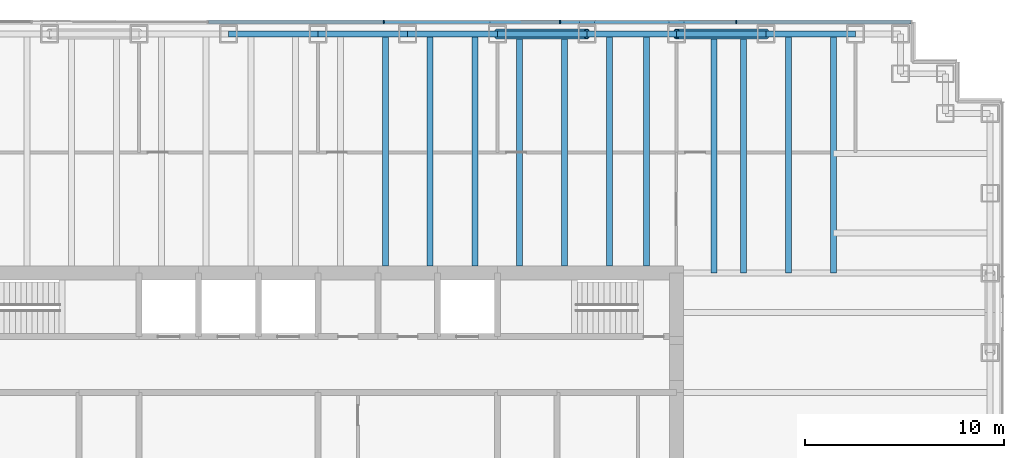
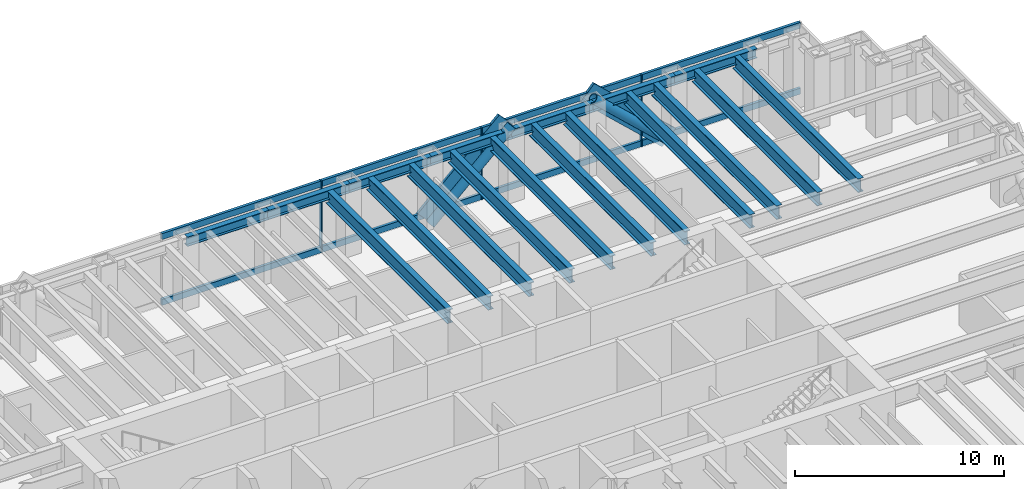
# One storey, part 7 of 17: 18 beams, 15 members, 1 element without a shape of its own.
"""IFC4 building model written with IfcOpenShell, lengths in metres."""

import ifcopenshell
import ifcopenshell.guid

model = None  # the IFC model being written
_history = None  # IfcOwnerHistory: only IFC2X3 demands one
_inside = {}  # id of a spatial element -> (the spatial element, [elements in it])
_under = {}  # id of a project, library or spatial element -> (it, [spatial elements below it])
_declared = {}  # id of a project -> (the project, [libraries it declares])
_typed = {}  # id of a type object -> (the type object, [elements of that type])
_made_of = {}  # id of a material, layer set ... -> (it, [elements and type objects made of it])


def new_model(schema):
    """Start an empty IFC model of exactly this schema.

    Asked for "IFC4X3", IfcOpenShell would pick the latest addendum, in which some entities
    have other attributes; the version numbers below select the first issue.
    IFC2X3 requires an IfcOwnerHistory on every rooted entity: one is made here for all.
    """
    global model, _history
    if schema == "IFC4X3":
        model = ifcopenshell.file(schema_version=(4, 3, 0, 0))
    else:
        model = ifcopenshell.file(schema=schema)
    _inside.clear()
    _under.clear()
    _declared.clear()
    _typed.clear()
    _made_of.clear()
    _history = None
    if model.schema == "IFC2X3":
        org = make("IfcOrganization", Name="unknown")
        user = make(
            "IfcPersonAndOrganization",
            ThePerson=make("IfcPerson", FamilyName="unknown"),
            TheOrganization=org,
        )
        app = make(
            "IfcApplication",
            ApplicationDeveloper=org,
            Version="unknown",
            ApplicationFullName="unknown",
            ApplicationIdentifier="unknown",
        )
        _history = make(
            "IfcOwnerHistory",
            OwningUser=user,
            OwningApplication=app,
            ChangeAction="ADDED",
            CreationDate=0,
        )
    return model


def make(cls, **values):
    """One entity of the class cls with the attributes given. An attribute that is None is left unset."""
    return model.create_entity(
        cls, **{name: value for name, value in values.items() if value is not None}
    )


def rooted(cls, **values):
    """An entity with a GlobalId (a new one), such as an element, a storey or a relation."""
    return make(cls, GlobalId=ifcopenshell.guid.new(), OwnerHistory=_history, **values)


def si_unit(unit_type, name, prefix=None):
    """IfcSIUnit, for example si_unit("LENGTHUNIT", "METRE", prefix="MILLI")."""
    return make("IfcSIUnit", UnitType=unit_type, Prefix=prefix, Name=name)


def assignment(units):
    """IfcUnitAssignment: the units of a project."""
    return None if units is None else make("IfcUnitAssignment", Units=units)


def point(xyz):
    """IfcCartesianPoint."""
    return None if xyz is None else make("IfcCartesianPoint", Coordinates=xyz)


def direction(xyz):
    """IfcDirection."""
    return None if xyz is None else make("IfcDirection", DirectionRatios=xyz)


def frame(location, z_axis=None, x_axis=None):
    """IfcAxis2Placement3D, a coordinate frame: its origin and axes. An axis left out is left unset."""
    return make(
        "IfcAxis2Placement3D",
        Location=point(location),
        Axis=direction(z_axis),
        RefDirection=direction(x_axis),
    )


def frame_2d(location, x_axis=None):
    """IfcAxis2Placement2D, a coordinate frame in the plane: its origin and x axis."""
    return make(
        "IfcAxis2Placement2D", Location=point(location), RefDirection=direction(x_axis)
    )


def origin():
    """The frame at (0, 0, 0) with its axes left unset."""
    return frame((0.0, 0.0, 0.0))


def origin_2d():
    """The frame at (0, 0) in the plane with its x axis left unset."""
    return frame_2d((0.0, 0.0))


def place(relative_to, where):
    """IfcLocalPlacement: puts the frame where relative to a parent placement (None: the world)."""
    return make(
        "IfcLocalPlacement", PlacementRelTo=relative_to, RelativePlacement=where
    )


def context(
    kind, dimensions, precision=None, world=None, true_north=None, identifier=None
):
    """IfcGeometricRepresentationContext, for example the 3D "Model" context."""
    return make(
        "IfcGeometricRepresentationContext",
        ContextIdentifier=identifier,
        ContextType=kind,
        CoordinateSpaceDimension=dimensions,
        Precision=precision,
        WorldCoordinateSystem=world,
        TrueNorth=true_north,
    )


def subcontext(parent, identifier, kind, view, scale=None):
    """IfcGeometricRepresentationSubContext, for example "Body" below "Model"."""
    return make(
        "IfcGeometricRepresentationSubContext",
        ContextIdentifier=identifier,
        ContextType=kind,
        ParentContext=parent,
        TargetScale=scale,
        TargetView=view,
    )


def project(units=None, contexts=None):
    """IfcProject with its units and contexts."""
    return rooted(
        "IfcProject",
        Name="project",
        RepresentationContexts=contexts,
        UnitsInContext=assignment(units),
    )


def spatial(cls, under=None, at=None, **own):
    """A site, building, storey or space (cls), placed at a placement, below another one or the project."""
    s = rooted(cls, ObjectPlacement=at, **own)
    if under is not None:
        _under.setdefault(under.id(), (under, []))[1].append(s)
    return s


def profile(cls, at=None, kind="AREA", **sizes):
    """A parametric profile (cls). Its sizes go by their IFC names, for example OverallWidth=200.0."""
    return make(cls, ProfileType=kind, Position=at, **sizes)


def rectangle(**sizes):
    """IfcRectangleProfileDef."""
    return profile("IfcRectangleProfileDef", **sizes)


def hollow_circle(**sizes):
    """IfcCircleHollowProfileDef."""
    return profile("IfcCircleHollowProfileDef", **sizes)


def i_section(**sizes):
    """IfcIShapeProfileDef."""
    return profile("IfcIShapeProfileDef", **sizes)


def extrude(swept, where, along, depth):
    """IfcExtrudedAreaSolid: the profile swept, set in the frame where, extruded along a direction by depth."""
    return make(
        "IfcExtrudedAreaSolid",
        SweptArea=swept,
        Position=where,
        ExtrudedDirection=direction(along),
        Depth=depth,
    )


def shape(context_of_items, identifier, shape_type, items):
    """IfcShapeRepresentation: the items that make up one representation, for example the "Body"."""
    return make(
        "IfcShapeRepresentation",
        ContextOfItems=context_of_items,
        RepresentationIdentifier=identifier,
        RepresentationType=shape_type,
        Items=items,
    )


def material(Name=None, Category=None):
    """IfcMaterial."""
    return make("IfcMaterial", Name=Name, Category=Category)


def material_profile(
    of_material, cross_section, Name=None, Category=None, Priority=None
):
    """IfcMaterialProfile: a cross section and its material."""
    return make(
        "IfcMaterialProfile",
        Name=Name,
        Material=of_material,
        Profile=cross_section,
        Priority=Priority,
        Category=Category,
    )


def profile_set(profiles, Name=None, composite=None):
    """IfcMaterialProfileSet."""
    return make(
        "IfcMaterialProfileSet",
        Name=Name,
        MaterialProfiles=profiles,
        CompositeProfile=composite,
    )


def made_of(thing, what):
    """Note that an element or type object is made of a material, layer set ...; save() writes the relation."""
    if what is not None:
        _made_of.setdefault(what.id(), (what, []))[1].append(thing)
    return thing


def type_object(cls, material=None, **own):
    """A type object (cls), such as IfcWallType, which elements share."""
    return made_of(rooted(cls, **own), material)


def element(
    cls,
    number,
    at=None,
    inside=None,
    cuts=None,
    type_object=None,
    material=None,
    context=None,
    identifier="Body",
    shape_type=None,
    held_by="IfcProductDefinitionShape",
    body=None,
    shapes=None,
    **own,
):
    """One element of the class cls, such as IfcWall. Its Tag is "e" and its number.

    at: its placement. inside: the storey or other place that contains it. cuts: it is an
    opening in that element (IfcRelVoidsElement). A single representation is given by context,
    identifier, shape_type and body (its items); several are given by shapes. held_by: the class
    of the entity that holds the representations. save() writes the other relations.
    """
    e = rooted(cls, Tag="e%d" % number, ObjectPlacement=at, **own)
    if body is not None:
        shapes = [shape(context, identifier, shape_type, body)]
    if shapes is not None:
        e.Representation = make(held_by, Representations=shapes)
    if inside is not None:
        _inside.setdefault(inside.id(), (inside, []))[1].append(e)
    if cuts is not None:
        rooted(
            "IfcRelVoidsElement", RelatingBuildingElement=cuts, RelatedOpeningElement=e
        )
    if type_object is not None:
        _typed.setdefault(type_object.id(), (type_object, []))[1].append(e)
    return made_of(e, material)


def aggregate(whole, parts):
    """IfcRelAggregates: a whole, such as a stair, and the parts it consists of."""
    return rooted("IfcRelAggregates", RelatingObject=whole, RelatedObjects=parts)


def save(model, path):
    """Write the relations noted so far, then the file.

    IfcRelAggregates (storeys below a building ...), IfcRelContainedInSpatialStructure (elements
    in a storey), IfcRelDefinesByType, IfcRelAssociatesMaterial and IfcRelDeclares: one each for
    every whole, place, type object, material and project.
    """
    for whole, parts in _under.values():
        aggregate(whole, parts)
    for where, things in _inside.values():
        rooted(
            "IfcRelContainedInSpatialStructure",
            RelatedElements=things,
            RelatingStructure=where,
        )
    for kind, things in _typed.values():
        rooted("IfcRelDefinesByType", RelatedObjects=things, RelatingType=kind)
    for what, things in _made_of.values():
        rooted("IfcRelAssociatesMaterial", RelatedObjects=things, RelatingMaterial=what)
    for by, libraries in _declared.values():
        rooted("IfcRelDeclares", RelatingContext=by, RelatedDefinitions=libraries)
    model.write(path)


model = new_model("IFC4")

# Units and contexts
model_context = context("Model", 3, precision=1e-05, world=origin(), true_north=direction((0.0, 1.0)))
body_context = subcontext(model_context, "Body", "Model", "MODEL_VIEW")
ifc_project = project(units=[si_unit("LENGTHUNIT", "METRE"), si_unit("AREAUNIT", "SQUARE_METRE"), si_unit("VOLUMEUNIT", "CUBIC_METRE"), si_unit("PLANEANGLEUNIT", "RADIAN"), si_unit("MASSUNIT", "GRAM", prefix="KILO")], contexts=[model_context])

# Site, building, storey
site_placement = place(None, origin())
site = spatial("IfcSite", under=ifc_project, at=site_placement, CompositionType="ELEMENT")
building_placement = place(site_placement, origin())
building = spatial("IfcBuilding", under=site, at=building_placement, Name="Rheinbord Bourse Tower", CompositionType="ELEMENT")
storey_placement = place(building_placement, frame((0.0, 0.0, 283.699951171875)))
storey = spatial("IfcBuildingStorey", under=building, at=storey_placement, Name="L64", CompositionType="ELEMENT", Elevation=283.699951171875)

# Curtain wall, members
ifc_material_1 = material(Name="Dark glass and black aluminium", Category="aluminium")
curtain_wall_type = type_object("IfcCurtainWallType", Name="CW3 DARK GLASS CURTAIN WALL", PredefinedType="USERDEFINED", material=ifc_material_1)
curtain_wall_placement = place(storey_placement, origin())
curtain_wall = element("IfcCurtainWall", 1, at=curtain_wall_placement, inside=storey, type_object=curtain_wall_type, Name="Curtain wall CW3 N L64", ObjectType="UNITISED CURTAIN WALL", PredefinedType="USERDEFINED")
ifc_material_2 = material(Name="Black anodised aluminium", Category="aluminium")
ifc_material_profile_1 = material_profile(ifc_material_2, rectangle(XDim=0.14990234375, YDim=1.10791015625, at=origin_2d()), Name="CW3 DIAGONAL MULLION 1108x150")
ifc_profile_set_1 = profile_set([ifc_material_profile_1], Name="Black anodised aluminium")
member_type_1 = type_object("IfcMemberType", Name="CW3 BLACK DIAGONAL MULLION", PredefinedType="USERDEFINED", material=ifc_profile_set_1)
member_1_placement = place(storey_placement, frame((45.0, 44.60009765625, 0.0), z_axis=(0.73105922506, 0.0, 0.682314010889), x_axis=(0.0, 1.0, 0.0)))
member_1 = element("IfcMember", 2, at=member_1_placement, type_object=member_type_1, Name="CW3 diagonal mullion a", ObjectType="DIAGONAL MULLION", PredefinedType="USERDEFINED", context=body_context, shape_type="SweptSolid", body=[
    extrude(rectangle(XDim=0.14990234375, YDim=1.10791015625, at=origin_2d()), origin(), (0.0, 0.0, 1.0), 6.155517578125),
])
member_2_placement = place(storey_placement, frame((58.5, 44.60009765625, 0.0), z_axis=(-0.73105922506, 0.0, 0.682314010889), x_axis=(0.0, -1.0, 0.0)))
member_2 = element("IfcMember", 3, at=member_2_placement, type_object=member_type_1, Name="CW3 diagonal mullion c", ObjectType="DIAGONAL MULLION", PredefinedType="USERDEFINED", context=body_context, shape_type="SweptSolid", body=[
    extrude(rectangle(XDim=0.14990234375, YDim=1.10791015625, at=origin_2d()), origin(), (0.0, 0.0, 1.0), 6.155517578125),
])
ifc_material_3 = material(Name="Black anodised aluminium", Category="aluminium")
ifc_material_profile_2 = material_profile(ifc_material_3, rectangle(XDim=0.199951171875, YDim=0.06494140625, at=origin_2d()), Name="CW3 MULLION 65x200")
ifc_profile_set_2 = profile_set([ifc_material_profile_2], Name="Black anodised aluminium")
member_type_2 = type_object("IfcMemberType", Name="CW3 BLACK MULLION", PredefinedType="MULLION", material=ifc_profile_set_2)
member_3_placement = place(storey_placement, frame((57.0, 44.60009765625, 0.0), z_axis=(0.0, 0.0, 1.0), x_axis=(0.0, -1.0, 0.0)))
member_3 = element("IfcMember", 4, at=member_3_placement, type_object=member_type_2, Name="CW3 mullion 2", PredefinedType="MULLION", context=body_context, shape_type="SweptSolid", body=[
    extrude(rectangle(XDim=0.199951171875, YDim=0.06494140625, at=origin_2d()), origin(), (0.0, 0.0, 1.0), 4.199951171875),
])
member_4_placement = place(storey_placement, frame((48.14990234375, 44.60009765625, 0.0), z_axis=(0.0, 0.0, 1.0), x_axis=(0.0, -1.0, 0.0)))
member_4 = element("IfcMember", 5, at=member_4_placement, type_object=member_type_2, Name="CW3 mullion 3", PredefinedType="MULLION", context=body_context, shape_type="SweptSolid", body=[
    extrude(rectangle(XDim=0.199951171875, YDim=0.06494140625, at=origin_2d()), origin(), (0.0, 0.0, 1.0), 4.199951171875),
])
member_5_placement = place(storey_placement, frame((39.300048828125, 44.60009765625, 0.0), z_axis=(0.0, 0.0, 1.0), x_axis=(0.0, -1.0, 0.0)))
member_5 = element("IfcMember", 6, at=member_5_placement, type_object=member_type_2, Name="CW3 mullion 4", PredefinedType="MULLION", context=body_context, shape_type="SweptSolid", body=[
    extrude(rectangle(XDim=0.199951171875, YDim=0.06494140625, at=origin_2d()), origin(), (0.0, 0.0, 1.0), 4.199951171875),
])
ifc_material_4 = material(Name="Black anodised aluminium", Category="aluminium")
ifc_material_profile_3 = material_profile(ifc_material_4, rectangle(XDim=0.14990234375, YDim=0.35009765625, at=origin_2d()), Name="CW3 TRANSOM 350x150")
ifc_profile_set_3 = profile_set([ifc_material_profile_3], Name="Black anodised aluminium")
member_type_3 = type_object("IfcMemberType", Name="CW3 BLACK TRANSOM", PredefinedType="USERDEFINED", material=ifc_profile_set_3)
member_6_placement = place(storey_placement, frame((65.784912109375, 44.60009765625, 0.175048828125), z_axis=(-1.0, 0.0, 0.0), x_axis=(0.0, -1.0, 0.0)))
member_6 = element("IfcMember", 7, at=member_6_placement, type_object=member_type_3, Name="CW3 transom 1.1", ObjectType="TRANSOM", PredefinedType="USERDEFINED", context=body_context, shape_type="SweptSolid", body=[
    extrude(rectangle(XDim=0.14990234375, YDim=0.35009765625, at=origin_2d()), origin(), (0.0, 0.0, 1.0), 8.75244140625),
])
member_7_placement = place(storey_placement, frame((65.784912109375, 44.60009765625, 4.025146484375), z_axis=(-1.0, 0.0, 0.0), x_axis=(0.0, -1.0, 0.0)))
member_7 = element("IfcMember", 8, at=member_7_placement, type_object=member_type_3, Name="CW3 transom 1.2", ObjectType="TRANSOM", PredefinedType="USERDEFINED", context=body_context, shape_type="SweptSolid", body=[
    extrude(rectangle(XDim=0.14990234375, YDim=0.35009765625, at=origin_2d()), origin(), (0.0, 0.0, 1.0), 8.75244140625),
])
member_8_placement = place(storey_placement, frame((56.967529296875, 44.60009765625, 0.175048828125), z_axis=(-1.0, 0.0, 0.0), x_axis=(0.0, -1.0, 0.0)))
member_8 = element("IfcMember", 9, at=member_8_placement, type_object=member_type_3, Name="CW3 transom 2.1", ObjectType="TRANSOM", PredefinedType="USERDEFINED", context=body_context, shape_type="SweptSolid", body=[
    extrude(rectangle(XDim=0.14990234375, YDim=0.35009765625, at=origin_2d()), origin(), (0.0, 0.0, 1.0), 8.784912109375),
])
member_9_placement = place(storey_placement, frame((56.967529296875, 44.60009765625, 4.025146484375), z_axis=(-1.0, 0.0, 0.0), x_axis=(0.0, -1.0, 0.0)))
member_9 = element("IfcMember", 10, at=member_9_placement, type_object=member_type_3, Name="CW3 transom 2.2", ObjectType="TRANSOM", PredefinedType="USERDEFINED", context=body_context, shape_type="SweptSolid", body=[
    extrude(rectangle(XDim=0.14990234375, YDim=0.35009765625, at=origin_2d()), origin(), (0.0, 0.0, 1.0), 8.784912109375),
])
member_10_placement = place(storey_placement, frame((48.117431640625, 44.60009765625, 0.175048828125), z_axis=(-1.0, 0.0, 0.0), x_axis=(0.0, -1.0, 0.0)))
member_10 = element("IfcMember", 11, at=member_10_placement, type_object=member_type_3, Name="CW3 transom 3.1", ObjectType="TRANSOM", PredefinedType="USERDEFINED", context=body_context, shape_type="SweptSolid", body=[
    extrude(rectangle(XDim=0.14990234375, YDim=0.35009765625, at=origin_2d()), origin(), (0.0, 0.0, 1.0), 8.784912109375),
])
member_11_placement = place(storey_placement, frame((48.117431640625, 44.60009765625, 4.025146484375), z_axis=(-1.0, 0.0, 0.0), x_axis=(0.0, -1.0, 0.0)))
member_11 = element("IfcMember", 12, at=member_11_placement, type_object=member_type_3, Name="CW3 transom 3.2", ObjectType="TRANSOM", PredefinedType="USERDEFINED", context=body_context, shape_type="SweptSolid", body=[
    extrude(rectangle(XDim=0.14990234375, YDim=0.35009765625, at=origin_2d()), origin(), (0.0, 0.0, 1.0), 8.784912109375),
])
member_12_placement = place(storey_placement, frame((39.267578125, 44.60009765625, 0.175048828125), z_axis=(-1.0, 0.0, 0.0), x_axis=(0.0, -1.0, 0.0)))
member_12 = element("IfcMember", 13, at=member_12_placement, type_object=member_type_3, Name="CW3 transom 4.1", ObjectType="TRANSOM", PredefinedType="USERDEFINED", context=body_context, shape_type="SweptSolid", body=[
    extrude(rectangle(XDim=0.14990234375, YDim=0.35009765625, at=origin_2d()), origin(), (0.0, 0.0, 1.0), 8.78515625),
])
member_13_placement = place(storey_placement, frame((39.267578125, 44.60009765625, 4.025146484375), z_axis=(-1.0, 0.0, 0.0), x_axis=(0.0, -1.0, 0.0)))
member_13 = element("IfcMember", 14, at=member_13_placement, type_object=member_type_3, Name="CW3 transom 4.2", ObjectType="TRANSOM", PredefinedType="USERDEFINED", context=body_context, shape_type="SweptSolid", body=[
    extrude(rectangle(XDim=0.14990234375, YDim=0.35009765625, at=origin_2d()), origin(), (0.0, 0.0, 1.0), 8.78515625),
])
aggregate(curtain_wall, [member_3, member_4, member_5, member_6, member_7, member_8, member_9, member_10, member_11, member_12, member_13, member_1, member_2])

# Beams
ifc_material_5 = material(Name="Steel S460", Category="steel")
ifc_material_profile_4 = material_profile(ifc_material_5, i_section(OverallWidth=0.300048828125, OverallDepth=0.800048828125, WebThickness=0.017578125, FlangeThickness=0.032958984375, at=origin_2d()), Name="HEB 800")
ifc_profile_set_4 = profile_set([ifc_material_profile_4], Name="Steel S460")
beam_type_1 = type_object("IfcBeamType", Name="FLOOR BEAM HEB 800", PredefinedType="BEAM", material=ifc_profile_set_4)
for number, where, z_axis, x_axis, name in (
    (15, (39.375, 44.0, 3.64013671875), (0.0, -1.0, 0.0), (1.0, 0.0, 0.0), "Floor beam N-36b L65"),
    (16, (41.625, 44.0, 3.64013671875), (0.0, -1.0, 0.0), (1.0, 0.0, 0.0), "Floor beam N-40.5a L65"),
    (17, (43.875, 44.0, 3.64013671875), (0.0, -1.0, 0.0), (1.0, 0.0, 0.0), "Floor beam N-40.5b L65"),
    (18, (46.125, 44.0, 3.64013671875), (0.0, -1.0, 0.0), (1.0, 0.0, 0.0), "Floor beam N-45a L65"),
    (19, (48.375, 44.0, 3.64013671875), (0.0, -1.0, 0.0), (1.0, 0.0, 0.0), "Floor beam N-45b L65"),
    (20, (50.625, 44.0, 3.64013671875), (0.0, -1.0, 0.0), (1.0, 0.0, 0.0), "Floor beam N-49.5a L65"),
    (21, (52.5, 44.0, 3.64013671875), (0.0, -1.0, 0.0), (1.0, 0.0, 0.0), "Floor beam N-49.5b L65"),
):
    element("IfcBeam", number, at=place(storey_placement, frame(where, z_axis=z_axis, x_axis=x_axis)), inside=storey, type_object=beam_type_1, Name=name, PredefinedType="BEAM", context=body_context, shape_type="SweptSolid", body=[
        extrude(i_section(OverallWidth=0.300048828125, OverallDepth=0.800048828125, WebThickness=0.017578125, FlangeThickness=0.032958984375, at=origin_2d()), origin(), (0.0, 0.0, 1.0), 11.64990234375),
    ])
for number, where, z_axis, x_axis, name in (
    (22, (55.875, 44.0, 3.64013671875), (0.0, -1.0, 0.0), (1.0, 0.0, 0.0), "Floor beam N-54a L65"),
    (23, (57.375, 44.0, 3.64013671875), (0.0, -1.0, 0.0), (1.0, 0.0, 0.0), "Floor beam N-54b L65"),
    (24, (59.625, 44.0, 3.64013671875), (0.0, -1.0, 0.0), (1.0, 0.0, 0.0), "Floor beam N-58.5a L65"),
    (25, (61.875, 44.0, 3.64013671875), (0.0, -1.0, 0.0), (1.0, 0.0, 0.0), "Floor beam N-58.5b L65"),
):
    element("IfcBeam", number, at=place(storey_placement, frame(where, z_axis=z_axis, x_axis=x_axis)), inside=storey, type_object=beam_type_1, Name=name, PredefinedType="BEAM", context=body_context, shape_type="SweptSolid", body=[
        extrude(i_section(OverallWidth=0.300048828125, OverallDepth=0.800048828125, WebThickness=0.017578125, FlangeThickness=0.032958984375, at=origin_2d()), origin(), (0.0, 0.0, 1.0), 12.0),
    ])

# Members
ifc_material_6 = material(Name="Steel S460", Category="steel")
ifc_material_profile_5 = material_profile(ifc_material_6, hollow_circle(Radius=0.25390625, WallThickness=0.030029296875, at=origin_2d()), Name="CHS 508x30")
ifc_profile_set_5 = profile_set([ifc_material_profile_5], Name="Steel S460")
member_type_4 = type_object("IfcMemberType", Name="MEGABRACE CHS 508x30", PredefinedType="BRACE", material=ifc_profile_set_5)
for number, where, z_axis, x_axis, name in (
    (26, (45.0, 44.0, 0.0), (0.73105922506, 0.0, 0.682314010889), (0.0, 1.0, 0.0), "Megabrace N face line a L64"),
    (27, (58.5, 44.0, 0.0), (-0.73105922506, 0.0, 0.682314010889), (0.0, -1.0, 0.0), "Megabrace N face line c L64"),
):
    element("IfcMember", number, at=place(storey_placement, frame(where, z_axis=z_axis, x_axis=x_axis)), inside=storey, type_object=member_type_4, Name=name, PredefinedType="BRACE", context=body_context, shape_type="SweptSolid", body=[
        extrude(hollow_circle(Radius=0.25390625, WallThickness=0.030029296875, at=origin_2d()), origin(), (0.0, 0.0, 1.0), 6.155517578125),
    ])

# Beams
ifc_material_7 = material(Name="Steel S460", Category="steel")
ifc_material_profile_6 = material_profile(ifc_material_7, i_section(OverallWidth=0.300048828125, OverallDepth=0.550048828125, WebThickness=0.014892578125, FlangeThickness=0.029052734375, at=origin_2d()), Name="HEB 550")
ifc_profile_set_6 = profile_set([ifc_material_profile_6], Name="Steel S460")
beam_type_2 = type_object("IfcBeamType", Name="SPANDREL HEB 550", PredefinedType="SPANDREL", material=ifc_profile_set_6)
for number, where, z_axis, x_axis, name in (
    (28, (63.0, 44.0, 3.76513671875), (-1.0, 0.0, 0.0), (0.0, -1.0, 0.0), "Spandrel N-63-N-58.5 under L65"),
    (29, (58.5, 44.0, 3.76513671875), (-1.0, 0.0, 0.0), (0.0, -1.0, 0.0), "Spandrel N-58.5-N-54 under L65"),
    (30, (54.0, 44.0, 3.76513671875), (-1.0, 0.0, 0.0), (0.0, -1.0, 0.0), "Spandrel N-54-N-49.5 under L65"),
    (31, (49.5, 44.0, 3.76513671875), (-1.0, 0.0, 0.0), (0.0, -1.0, 0.0), "Spandrel N-49.5-N-45 under L65"),
    (32, (45.0, 44.0, 3.76513671875), (-1.0, 0.0, 0.0), (0.0, -1.0, 0.0), "Spandrel N-45-N-40.5 under L65"),
    (33, (40.5, 44.0, 3.76513671875), (-1.0, 0.0, 0.0), (0.0, -1.0, 0.0), "Spandrel N-40.5-N-36 under L65"),
    (34, (36.0, 44.0, 3.76513671875), (-1.0, 0.0, 0.0), (0.0, -1.0, 0.0), "Spandrel N-36-N-31.5 under L65"),
):
    element("IfcBeam", number, at=place(storey_placement, frame(where, z_axis=z_axis, x_axis=x_axis)), inside=storey, type_object=beam_type_2, Name=name, PredefinedType="SPANDREL", context=body_context, shape_type="SweptSolid", body=[
        extrude(i_section(OverallWidth=0.300048828125, OverallDepth=0.550048828125, WebThickness=0.014892578125, FlangeThickness=0.029052734375, at=origin_2d()), origin(), (0.0, 0.0, 1.0), 4.5),
    ])

save(model, "model.ifc")
